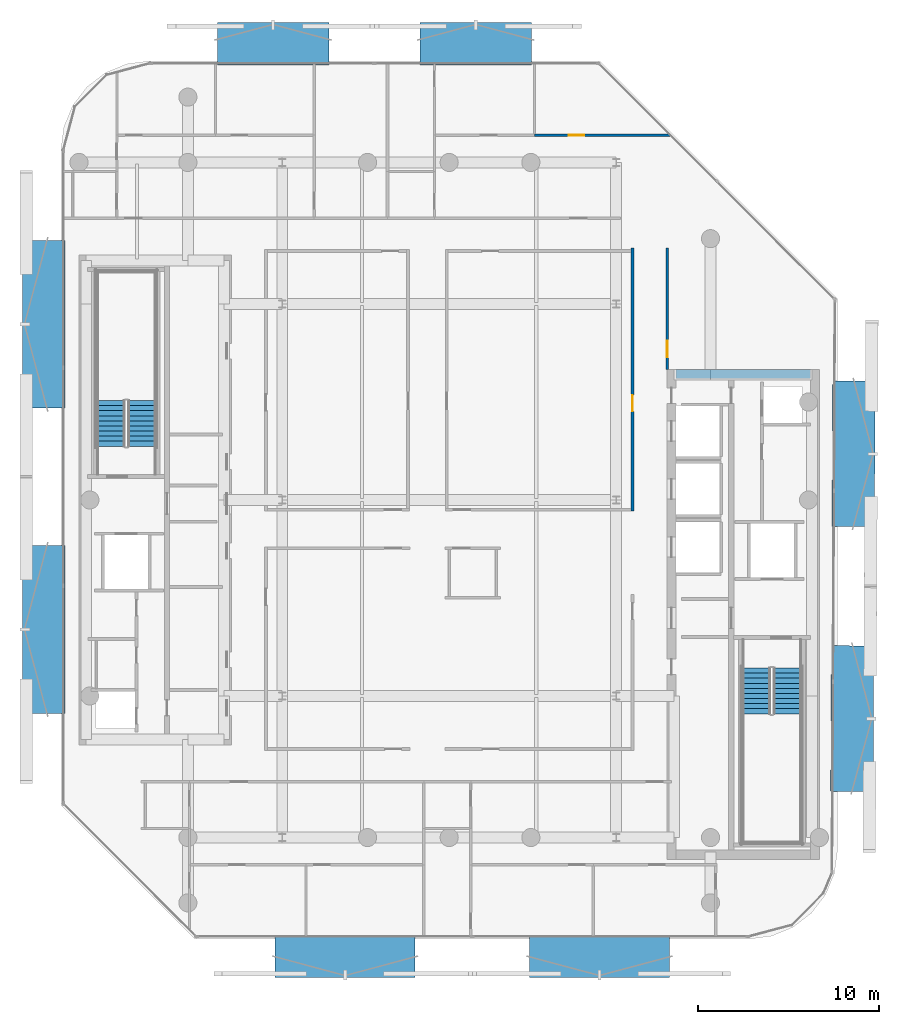
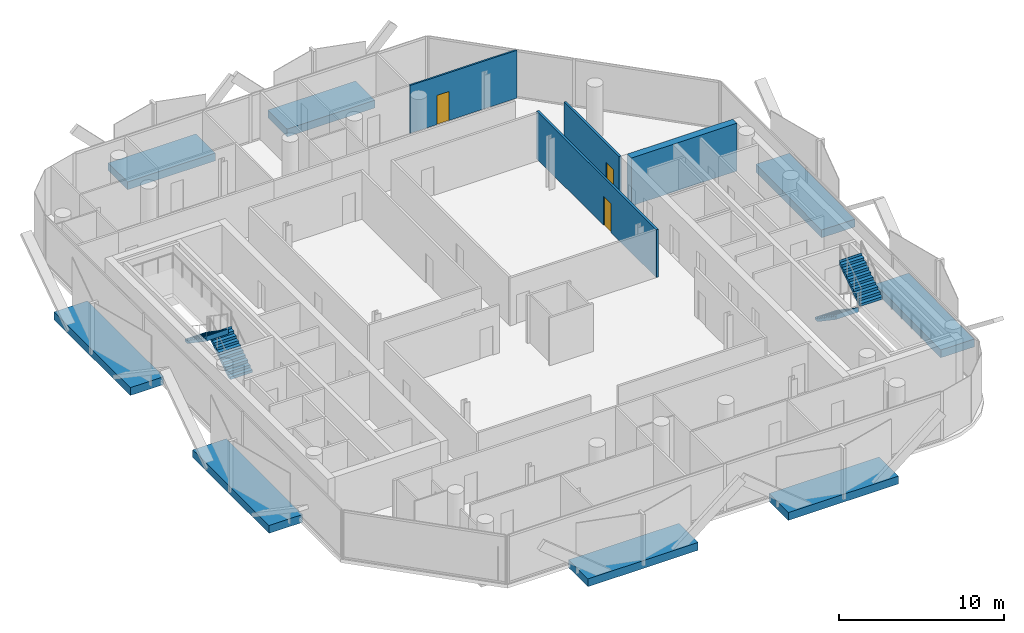
# One storey, part 8 of 16: 8 discrete accessories, 4 stair flights, 4 walls, 3 doors, 3 openings, 2 elements without a shape of their own.
"""IFC4 building model written with IfcOpenShell, lengths in metres."""

from ifc_helpers import new_model, si_unit, direction, frame, frame_2d, origin, origin_2d, place, context, subcontext, project, spatial, polyline, rectangle, outline, extrude, material, layer, layer_set, type_object, element, fill, aggregate, save


model = new_model("IFC4")

# Units and contexts
model_context = context("Model", 3, precision=1e-05, world=origin(), true_north=direction((0.0, 1.0)))
body_context = subcontext(model_context, "Body", "Model", "MODEL_VIEW")
ifc_project = project(units=[si_unit("LENGTHUNIT", "METRE"), si_unit("AREAUNIT", "SQUARE_METRE"), si_unit("VOLUMEUNIT", "CUBIC_METRE"), si_unit("PLANEANGLEUNIT", "RADIAN"), si_unit("MASSUNIT", "GRAM", prefix="KILO")], contexts=[model_context])

# Site, building, storey
site_placement = place(None, origin())
site = spatial("IfcSite", under=ifc_project, at=site_placement, CompositionType="ELEMENT")
building_placement = place(site_placement, origin())
building = spatial("IfcBuilding", under=site, at=building_placement, Name="Khairoan Windgate Tower", CompositionType="ELEMENT")
storey_placement = place(building_placement, frame((0.0, 0.0, 296.60009765625)))
storey = spatial("IfcBuildingStorey", under=building, at=storey_placement, Name="L71", CompositionType="ELEMENT", Elevation=296.60009765625)

# Wall, opening, door
ifc_material_1 = material(Name="Gypsum Stud Partition", Category="gypsum")
ifc_layer_1 = layer(ifc_material_1, 0.1201171875, Name="Gypsum Stud Partition")
ifc_layer_set_1 = layer_set([ifc_layer_1], Name="Gypsum Stud Partition")
wall_type_1 = type_object("IfcWallType", Name="Internal Room Partition Wall", PredefinedType="PARTITIONING", material=ifc_layer_set_1)
wall_1_placement = place(storey_placement, frame((4.705078125, 20.10009765625, 0.0), z_axis=(0.0, 0.0, 1.0), x_axis=(1.0, 0.0, 0.0)))
wall_1 = element("IfcWall", 1, at=wall_1_placement, inside=storey, type_object=wall_type_1, Name="L71 Interior Partition 051", PredefinedType="PARTITIONING", context=body_context, shape_type="SweptSolid", body=[
    extrude(rectangle(XDim=7.491943359375, YDim=0.1201171875, at=frame_2d((3.74609375, 0.0))), origin(), (0.0, 0.0, 1.0), 3.539794921875),
])
opening_1_placement = place(wall_1_placement, frame((1.887939453125, 0.0, 0.0)))
opening_1 = element("IfcOpeningElement", 2, at=opening_1_placement, cuts=wall_1, Name="Opening ID-RM", PredefinedType="OPENING", context=body_context, shape_type="SweptSolid", body=[
    extrude(rectangle(XDim=0.860107421875, YDim=2.14990234375, at=frame_2d((0.43017578125, 1.074951171875))), frame((0.0, 0.070068359375, 0.0), z_axis=(0.0, -1.0, 0.0), x_axis=(1.0, 0.0, 0.0)), (0.0, 0.0, 1.0), 0.14013671875),
])
ifc_material_2 = material(Name="Teak Veneer Timber Leaf", Category="wood")
door_type_1 = type_object("IfcDoorType", Name="Internal Bedroom and Office Door ID-RM 860x2150", OperationType="NOTDEFINED", PredefinedType="DOOR", material=ifc_material_2)
door_1_placement = place(opening_1_placement, origin())
door_1 = element("IfcDoor", 3, at=door_1_placement, inside=storey, type_object=door_type_1, Name="L71 L71-40-L71-42 Door", OperationType="SINGLE_SWING_LEFT", OverallHeight=2.14990234375, OverallWidth=0.860107421875, PredefinedType="DOOR", context=body_context, shape_type="SweptSolid", body=[
    extrude(rectangle(XDim=0.860107421875, YDim=2.14990234375, at=frame_2d((0.43017578125, 1.074951171875))), frame((0.0, 0.02490234375, 0.0), z_axis=(0.0, -1.0, 0.0), x_axis=(1.0, 0.0, 0.0)), (0.0, 0.0, 1.0), 0.050048828125),
])
fill(opening_1, door_1)

ifc_material_3 = material(Name="Acoustic Fire-Rated Gypsum Partition", Category="gypsum")
ifc_layer_2 = layer(ifc_material_3, 0.14990234375, Name="Acoustic Fire-Rated Gypsum Partition")
ifc_layer_set_2 = layer_set([ifc_layer_2], Name="Acoustic Fire-Rated Gypsum Partition")
wall_type_2 = type_object("IfcWallType", Name="Rated Corridor Partition Wall", PredefinedType="PARTITIONING", material=ifc_layer_set_2)
wall_2_placement = place(storey_placement, frame((12.014892578125, 7.199951171875, 0.0), z_axis=(0.0, 0.0, 1.0), x_axis=(0.0, 1.0, 0.0)))
wall_2 = element("IfcWall", 4, at=wall_2_placement, inside=storey, type_object=wall_type_2, Name="L71 Interior Partition 013", PredefinedType="PARTITIONING", context=body_context, shape_type="SweptSolid", body=[
    extrude(rectangle(XDim=6.679931640625, YDim=0.14990234375, at=frame_2d((3.33984375, 0.0))), origin(), (0.0, 0.0, 1.0), 3.539794921875),
])
opening_2_placement = place(wall_2_placement, frame((0.669921875, 0.0, 0.0)))
opening_2 = element("IfcOpeningElement", 5, at=opening_2_placement, cuts=wall_2, Name="Opening FD-ENT", PredefinedType="OPENING", context=body_context, shape_type="SweptSolid", body=[
    extrude(rectangle(XDim=0.89990234375, YDim=2.14990234375, at=frame_2d((0.449951171875, 1.074951171875))), frame((0.0, 0.0849609375, 0.0), z_axis=(0.0, -1.0, 0.0), x_axis=(1.0, 0.0, 0.0)), (0.0, 0.0, 1.0), 0.169921875),
])
ifc_material_4 = material(Name="Timber Fire-Rated Core", Category="wood")
door_type_2 = type_object("IfcDoorType", Name="Unit and Office Fire Entrance Door FD-ENT 900x2150", OperationType="NOTDEFINED", PredefinedType="DOOR", material=ifc_material_4)
door_2_placement = place(opening_2_placement, origin())
door_2 = element("IfcDoor", 6, at=door_2_placement, inside=storey, type_object=door_type_2, Name="L71 L71-27-L71-54 Door", OperationType="SINGLE_SWING_RIGHT", OverallHeight=2.14990234375, OverallWidth=0.89990234375, PredefinedType="DOOR", context=body_context, shape_type="SweptSolid", body=[
    extrude(rectangle(XDim=0.89990234375, YDim=2.14990234375, at=frame_2d((0.449951171875, 1.074951171875))), frame((0.0, 0.02490234375, 0.0), z_axis=(0.0, -1.0, 0.0), x_axis=(1.0, 0.0, 0.0)), (0.0, 0.0, 1.0), 0.050048828125),
])
fill(opening_2, door_2)

wall_3_placement = place(storey_placement, frame((10.10009765625, -0.610107421875, 0.0), z_axis=(0.0, 0.0, 1.0), x_axis=(0.0, 1.0, 0.0)))
wall_3 = element("IfcWall", 7, at=wall_3_placement, inside=storey, type_object=wall_type_2, Name="L71 Interior Partition 014", PredefinedType="PARTITIONING", context=body_context, shape_type="SweptSolid", body=[
    extrude(rectangle(XDim=14.489990234375, YDim=0.14990234375, at=frame_2d((7.2451171875, 0.0))), origin(), (0.0, 0.0, 1.0), 3.539794921875),
])
opening_3_placement = place(wall_3_placement, frame((5.48779296875, 0.0, 0.0)))
opening_3 = element("IfcOpeningElement", 8, at=opening_3_placement, cuts=wall_3, Name="Opening FD-ENT", PredefinedType="OPENING", context=body_context, shape_type="SweptSolid", body=[
    extrude(rectangle(XDim=0.89990234375, YDim=2.14990234375, at=frame_2d((0.449951171875, 1.074951171875))), frame((0.0, 0.0849609375, 0.0), z_axis=(0.0, -1.0, 0.0), x_axis=(1.0, 0.0, 0.0)), (0.0, 0.0, 1.0), 0.169921875),
])
door_3_placement = place(opening_3_placement, origin())
door_3 = element("IfcDoor", 9, at=door_3_placement, inside=storey, type_object=door_type_2, Name="L71 L71-27-L71-57 Door", OperationType="SINGLE_SWING_LEFT", OverallHeight=2.14990234375, OverallWidth=0.89990234375, PredefinedType="DOOR", context=body_context, shape_type="SweptSolid", body=[
    extrude(rectangle(XDim=0.89990234375, YDim=2.14990234375, at=frame_2d((0.449951171875, 1.074951171875))), frame((0.0, 0.02490234375, 0.0), z_axis=(0.0, -1.0, 0.0), x_axis=(1.0, 0.0, 0.0)), (0.0, 0.0, 1.0), 0.050048828125),
])
fill(opening_3, door_3)

# Wall
ifc_material_5 = material(Name="Concrete C50/60", Category="concrete")
ifc_layer_3 = layer(ifc_material_5, 0.5, Name="Concrete C50/60")
ifc_layer_set_3 = layer_set([ifc_layer_3], Name="Concrete C50/60")
wall_type_3 = type_object("IfcWallType", Name="Shear Wall CW-E3 500mm", PredefinedType="SHEAR", material=ifc_layer_set_3)
wall_4_placement = place(storey_placement, frame((12.5, 6.949951171875, 0.0), z_axis=(0.0, 0.0, 1.0), x_axis=(1.0, 0.0, 0.0)))
element("IfcWall", 10, at=wall_4_placement, inside=storey, type_object=wall_type_3, Name="E Core North Shear Wall L71", PredefinedType="SHEAR", context=body_context, shape_type="SweptSolid", body=[
    extrude(rectangle(XDim=7.39990234375, YDim=0.5, at=frame_2d((3.699951171875, 0.0))), origin(), (0.0, 0.0, 1.0), 3.539794921875),
])

# Stair, stair flights
ifc_material_6 = material(Name="Concrete C40/50", Category="concrete")
stair_type = type_object("IfcStairType", Name="Tower Core Dog-Leg Stair ST-T1 1560mm", PredefinedType="HALF_TURN_STAIR", material=ifc_material_6)
stair_1_placement = place(storey_placement, origin())
stair_1 = element("IfcStair", 11, at=stair_1_placement, inside=storey, type_object=stair_type, Name="L71 Stair ST1", PredefinedType="HALF_TURN_STAIR")
ifc_material_7 = material(Name="Concrete C40/50", Category="concrete")
ifc_layer_4 = layer(ifc_material_7, 0.14990234375, Name="Concrete C40/50")
ifc_layer_set_4 = layer_set([ifc_layer_4], Name="Concrete C40/50")
stair_flight_type = type_object("IfcStairFlightType", Name="Tower Core Stair Flight STF-1560", PredefinedType="STRAIGHT", material=ifc_layer_set_4)
stair_flight_1_placement = place(storey_placement, frame((16.929931640625, -9.260009765625, 0.0), z_axis=(0.0, 0.0, 1.0), x_axis=(0.0, -1.0, 0.0)))
stair_flight_1 = element("IfcStairFlight", 12, at=stair_flight_1_placement, type_object=stair_flight_type, Name="ST1 flight 1", NumberOfRisers=10, NumberOfTreads=9, PredefinedType="STRAIGHT", RiserHeight=0.19, TreadLength=0.28, context=body_context, shape_type="SweptSolid", body=[
    extrude(outline(polyline([(-0.00390625, 0.0), (-0.00390625, 0.18994140625), (0.0, 0.18994140625), (0.280029296875, 0.18994140625), (0.280029296875, 0.3798828125), (0.56005859375, 0.3798828125), (0.56005859375, 0.570068359375), (0.840087890625, 0.570068359375), (0.840087890625, 0.760009765625), (1.1201171875, 0.760009765625), (1.1201171875, 0.949951171875), (1.39990234375, 0.949951171875), (1.39990234375, 1.139892578125), (1.679931640625, 1.139892578125), (1.679931640625, 1.330078125), (1.9599609375, 1.330078125), (1.9599609375, 1.52001953125), (2.239990234375, 1.52001953125), (2.239990234375, 1.7099609375), (2.52001953125, 1.7099609375), (2.52001953125, 1.89990234375), (2.52392578125, 1.89990234375), (2.52392578125, 1.52880859375), (0.266845703125, 0.0), (-0.00390625, 0.0)])), frame((0.0, 0.780029296875, 0.0), z_axis=(0.0, -1.0, 0.0), x_axis=(1.0, 0.0, 0.0)), (0.0, 0.0, 1.0), 1.56005859375),
])
stair_flight_2_placement = place(storey_placement, frame((18.639892578125, -11.780029296875, 1.89990234375), z_axis=(0.0, 0.0, 1.0), x_axis=(0.0, 1.0, 0.0)))
stair_flight_2 = element("IfcStairFlight", 13, at=stair_flight_2_placement, type_object=stair_flight_type, Name="ST1 flight 2", NumberOfRisers=10, NumberOfTreads=9, PredefinedType="STRAIGHT", RiserHeight=0.19, TreadLength=0.28, context=body_context, shape_type="SweptSolid", body=[
    extrude(outline(polyline([(-0.00390625, 0.0), (-0.00390625, 0.18994140625), (0.0, 0.18994140625), (0.280029296875, 0.18994140625), (0.280029296875, 0.3798828125), (0.56005859375, 0.3798828125), (0.56005859375, 0.570068359375), (0.840087890625, 0.570068359375), (0.840087890625, 0.760009765625), (1.1201171875, 0.760009765625), (1.1201171875, 0.949951171875), (1.39990234375, 0.949951171875), (1.39990234375, 1.139892578125), (1.679931640625, 1.139892578125), (1.679931640625, 1.330078125), (1.9599609375, 1.330078125), (1.9599609375, 1.52001953125), (2.239990234375, 1.52001953125), (2.239990234375, 1.7099609375), (2.52001953125, 1.7099609375), (2.52001953125, 1.89990234375), (2.52392578125, 1.89990234375), (2.52392578125, 1.52880859375), (0.266845703125, 0.0), (-0.00390625, 0.0)])), frame((0.0, 0.780029296875, 0.0), z_axis=(0.0, -1.0, 0.0), x_axis=(1.0, 0.0, 0.0)), (0.0, 0.0, 1.0), 1.56005859375),
])
aggregate(stair_1, [stair_flight_1, stair_flight_2])

stair_2_placement = place(storey_placement, origin())
stair_2 = element("IfcStair", 14, at=stair_2_placement, inside=storey, type_object=stair_type, Name="L71 Stair ST2", PredefinedType="HALF_TURN_STAIR")
stair_flight_3_placement = place(storey_placement, frame((-16.929931640625, 2.9599609375, 0.0), z_axis=(0.0, 0.0, 1.0), x_axis=(0.0, 1.0, 0.0)))
stair_flight_3 = element("IfcStairFlight", 15, at=stair_flight_3_placement, type_object=stair_flight_type, Name="ST2 flight 1", NumberOfRisers=10, NumberOfTreads=9, PredefinedType="STRAIGHT", RiserHeight=0.19, TreadLength=0.28, context=body_context, shape_type="SweptSolid", body=[
    extrude(outline(polyline([(-0.00390625, 0.0), (-0.00390625, 0.18994140625), (0.0, 0.18994140625), (0.280029296875, 0.18994140625), (0.280029296875, 0.3798828125), (0.56005859375, 0.3798828125), (0.56005859375, 0.570068359375), (0.840087890625, 0.570068359375), (0.840087890625, 0.760009765625), (1.1201171875, 0.760009765625), (1.1201171875, 0.949951171875), (1.39990234375, 0.949951171875), (1.39990234375, 1.139892578125), (1.679931640625, 1.139892578125), (1.679931640625, 1.330078125), (1.9599609375, 1.330078125), (1.9599609375, 1.52001953125), (2.239990234375, 1.52001953125), (2.239990234375, 1.7099609375), (2.52001953125, 1.7099609375), (2.52001953125, 1.89990234375), (2.52392578125, 1.89990234375), (2.52392578125, 1.52880859375), (0.266845703125, 0.0), (-0.00390625, 0.0)])), frame((0.0, 0.780029296875, 0.0), z_axis=(0.0, -1.0, 0.0), x_axis=(1.0, 0.0, 0.0)), (0.0, 0.0, 1.0), 1.56005859375),
])
stair_flight_4_placement = place(storey_placement, frame((-18.639892578125, 5.47998046875, 1.89990234375), z_axis=(0.0, 0.0, 1.0), x_axis=(0.0, -1.0, 0.0)))
stair_flight_4 = element("IfcStairFlight", 16, at=stair_flight_4_placement, type_object=stair_flight_type, Name="ST2 flight 2", NumberOfRisers=10, NumberOfTreads=9, PredefinedType="STRAIGHT", RiserHeight=0.19, TreadLength=0.28, context=body_context, shape_type="SweptSolid", body=[
    extrude(outline(polyline([(-0.00390625, 0.0), (-0.00390625, 0.18994140625), (0.0, 0.18994140625), (0.280029296875, 0.18994140625), (0.280029296875, 0.3798828125), (0.56005859375, 0.3798828125), (0.56005859375, 0.570068359375), (0.840087890625, 0.570068359375), (0.840087890625, 0.760009765625), (1.1201171875, 0.760009765625), (1.1201171875, 0.949951171875), (1.39990234375, 0.949951171875), (1.39990234375, 1.139892578125), (1.679931640625, 1.139892578125), (1.679931640625, 1.330078125), (1.9599609375, 1.330078125), (1.9599609375, 1.52001953125), (2.239990234375, 1.52001953125), (2.239990234375, 1.7099609375), (2.52001953125, 1.7099609375), (2.52001953125, 1.89990234375), (2.52392578125, 1.89990234375), (2.52392578125, 1.52880859375), (0.266845703125, 0.0), (-0.00390625, 0.0)])), frame((0.0, 0.780029296875, 0.0), z_axis=(0.0, -1.0, 0.0), x_axis=(1.0, 0.0, 0.0)), (0.0, 0.0, 1.0), 1.56005859375),
])
aggregate(stair_2, [stair_flight_3, stair_flight_4])

# Discrete accessories
ifc_material_8 = material(Name="Steel S355", Category="steel")
discrete_accessory_type = type_object("IfcDiscreteAccessoryType", Name="Solar Screen Outrigger Slab Bracket SSB-1", PredefinedType="BRACKET", material=ifc_material_8)
for number, where, z_axis, x_axis, name in (
    (17, (8.28271484375, -25.1298828125, -0.420166015625), (0.0, 0.0, 1.0), (-1.0, 0.0, 0.0), "L71 Solar Screen Outrigger Bracket 494"),
    (18, (-5.73388671875, -25.1298828125, -0.420166015625), (0.0, 0.0, 1.0), (-1.0, 0.0, 0.0), "L71 Solar Screen Outrigger Bracket 495"),
):
    element("IfcDiscreteAccessory", number, at=place(storey_placement, frame(where, z_axis=z_axis, x_axis=x_axis)), inside=storey, type_object=discrete_accessory_type, Name=name, PredefinedType="BRACKET", context=body_context, shape_type="SweptSolid", body=[
        extrude(rectangle(XDim=7.708984375, YDim=2.340087890625, at=origin_2d()), origin(), (0.0, 0.0, 1.0), 0.580078125),
    ])
for number, where, z_axis, x_axis, name in (
    (19, (-22.330078125, -7.1337890625, -0.420166015625), (0.0, 0.0, 1.0), (0.0, 1.0, 0.0), "L71 Solar Screen Outrigger Bracket 496"),
    (20, (-22.330078125, 9.6826171875, -0.420166015625), (0.0, 0.0, 1.0), (0.0, 1.0, 0.0), "L71 Solar Screen Outrigger Bracket 497"),
):
    element("IfcDiscreteAccessory", number, at=place(storey_placement, frame(where, z_axis=z_axis, x_axis=x_axis)), inside=storey, type_object=discrete_accessory_type, Name=name, PredefinedType="BRACKET", context=body_context, shape_type="SweptSolid", body=[
        extrude(rectangle(XDim=9.2490234375, YDim=2.340087890625, at=origin_2d()), origin(), (0.0, 0.0, 1.0), 0.580078125),
    ])
for number, where, z_axis, x_axis, name in (
    (21, (-9.70751953125, 25.1298828125, -0.420166015625), (0.0, 0.0, 1.0), (1.0, 0.0, 0.0), "L71 Solar Screen Outrigger Bracket 498"),
    (22, (1.458740234375, 25.1298828125, -0.420166015625), (0.0, 0.0, 1.0), (1.0, 0.0, 0.0), "L71 Solar Screen Outrigger Bracket 499"),
):
    element("IfcDiscreteAccessory", number, at=place(storey_placement, frame(where, z_axis=z_axis, x_axis=x_axis)), inside=storey, type_object=discrete_accessory_type, Name=name, PredefinedType="BRACKET", context=body_context, shape_type="SweptSolid", body=[
        extrude(rectangle(XDim=6.14208984375, YDim=2.340087890625, at=origin_2d()), origin(), (0.0, 0.0, 1.0), 0.580078125),
    ])
for number, where, z_axis, x_axis, name in (
    (23, (22.285888671875, 2.54296875, -0.420166015625), (0.0, 0.0, 1.0), (-0.005235963831, -0.999986292247, 0.0), "L71 Solar Screen Outrigger Bracket 500"),
    (24, (22.21044921875, -12.043701171875, -0.420166015625), (0.0, 0.0, 1.0), (-0.005235963831, -0.999986292247, 0.0), "L71 Solar Screen Outrigger Bracket 501"),
):
    element("IfcDiscreteAccessory", number, at=place(storey_placement, frame(where, z_axis=z_axis, x_axis=x_axis)), inside=storey, type_object=discrete_accessory_type, Name=name, PredefinedType="BRACKET", context=body_context, shape_type="SweptSolid", body=[
        extrude(rectangle(XDim=8.02294921875, YDim=2.340087890625, at=origin_2d()), origin(), (0.0, 0.0, 1.0), 0.580078125),
    ])

save(model, "model.ifc")
